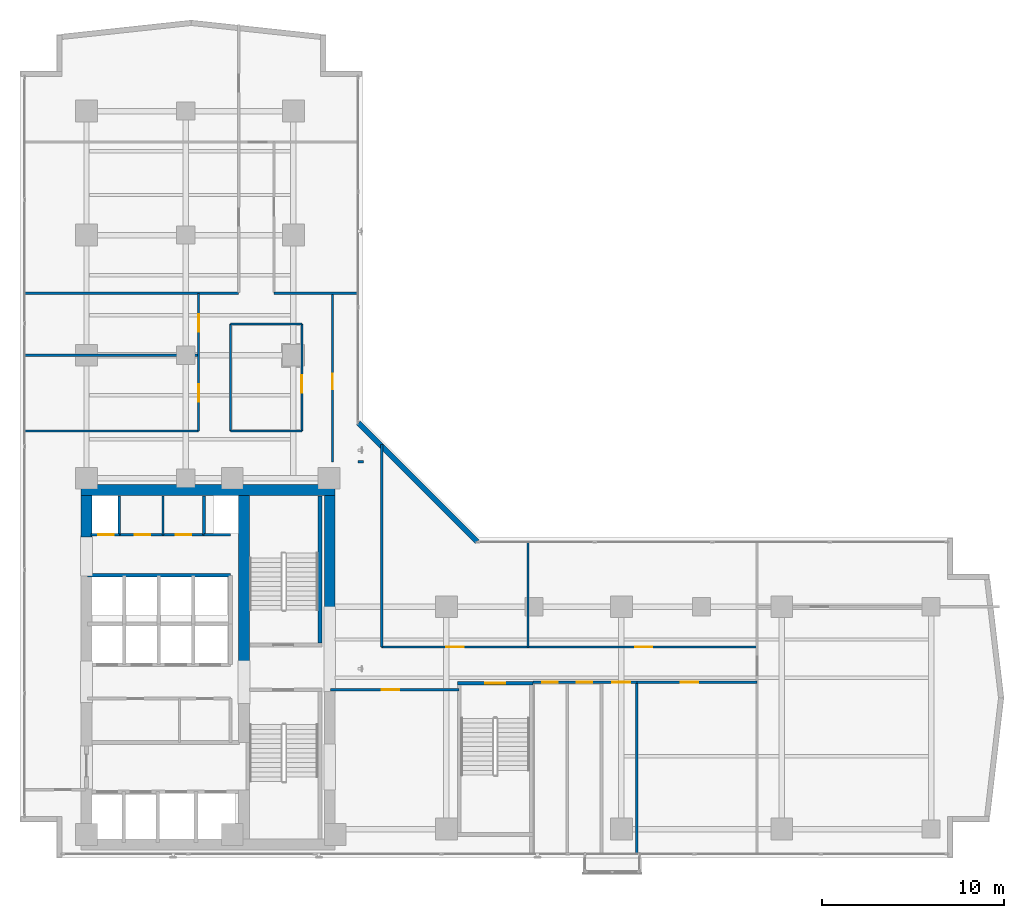
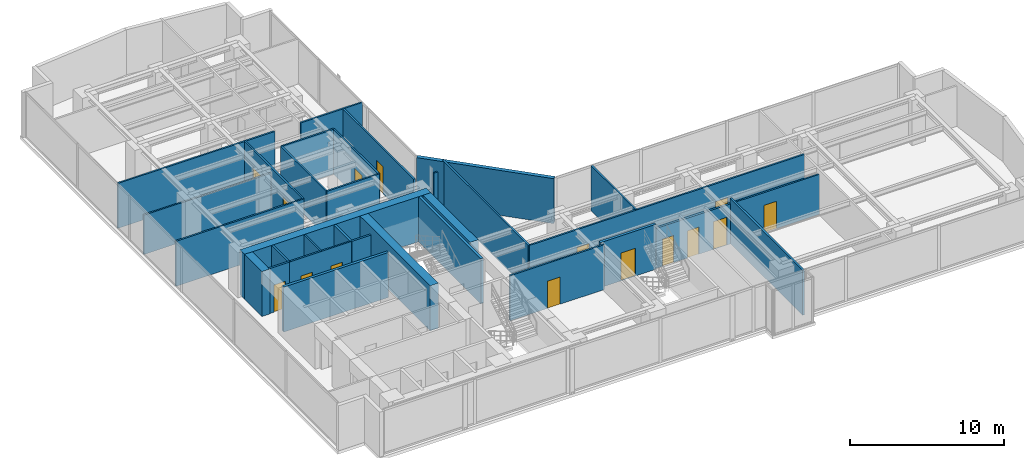
# One storey, part 21 of 27: 32 walls, 15 doors, 15 openings.
"""IFC4 building model written with IfcOpenShell, lengths in metres."""

from ifc_helpers import new_model, si_unit, direction, frame, frame_2d, origin, place, context, subcontext, project, spatial, rectangle, extrude, material, layer, layer_set, type_object, element, fill, save


model = new_model("IFC4")

# Units and contexts
model_context = context("Model", 3, precision=1e-05, world=origin(), true_north=direction((0.0, 1.0)))
body_context = subcontext(model_context, "Body", "Model", "MODEL_VIEW")
ifc_project = project(units=[si_unit("LENGTHUNIT", "METRE"), si_unit("AREAUNIT", "SQUARE_METRE"), si_unit("VOLUMEUNIT", "CUBIC_METRE"), si_unit("PLANEANGLEUNIT", "RADIAN"), si_unit("MASSUNIT", "GRAM", prefix="KILO")], contexts=[model_context])

# Site, building, storey
site_placement = place(None, origin())
site = spatial("IfcSite", under=ifc_project, at=site_placement, CompositionType="ELEMENT")
building_placement = place(site_placement, origin())
building = spatial("IfcBuilding", under=site, at=building_placement, Name="Kolvaren Waterfront Exchange", CompositionType="ELEMENT")
storey_placement = place(building_placement, frame((0.0, 0.0, 161.39990234375)))
storey = spatial("IfcBuildingStorey", under=building, at=storey_placement, Name="L41", CompositionType="ELEMENT", Elevation=161.39990234375)

# Wall
ifc_material_1 = material(Name="Precast concrete C40/50", Category="concrete")
ifc_layer_1 = layer(ifc_material_1, 0.280029296875, Name="Precast concrete C40/50")
ifc_layer_set_1 = layer_set([ifc_layer_1], Name="Precast concrete C40/50")
wall_type_1 = type_object("IfcWallType", Name="ARC-EXT-TERR-280", PredefinedType="SOLIDWALL", material=ifc_layer_set_1)
wall_1_placement = place(storey_placement, frame((28.885009765625, 20.97509765625, 0.0), z_axis=(0.0, 0.0, 1.0), x_axis=(-0.707106781187, 0.707106781187, 0.0)))
element("IfcWall", 1, at=wall_1_placement, inside=storey, type_object=wall_type_1, Name="L41 notched corner spandrel pier ELBOW", PredefinedType="SOLIDWALL", context=body_context, shape_type="SweptSolid", body=[
    extrude(rectangle(XDim=9.20654296875, YDim=0.280029296875, at=frame_2d((4.603271484375, 0.0))), origin(), (0.0, 0.0, 1.0), 3.56005859375),
])

# Wall, openings, doors
ifc_material_2 = material(Name="Acoustic gypsum steel stud", Category="steel")
ifc_layer_2 = layer(ifc_material_2, 0.125, Name="Acoustic gypsum steel stud")
ifc_layer_set_2 = layer_set([ifc_layer_2], Name="Acoustic gypsum steel stud")
wall_type_2 = type_object("IfcWallType", Name="ARC-PART-125", PredefinedType="PARTITIONING", material=ifc_layer_set_2)
wall_2_placement = place(storey_placement, frame((9.25, 21.35009765625, 0.0), z_axis=(0.0, 0.0, 1.0), x_axis=(1.0, 0.0, 0.0)))
wall_2 = element("IfcWall", 2, at=wall_2_placement, inside=storey, type_object=wall_type_2, Name="L41 interior wall PW-L41-SVC-EX-S", PredefinedType="PARTITIONING", context=body_context, shape_type="SweptSolid", body=[
    extrude(rectangle(XDim=4.64990234375, YDim=0.125, at=frame_2d((2.324951171875, 0.0))), origin(), (0.0, 0.0, 1.0), 3.56005859375),
])
opening_1_placement = place(wall_2_placement, frame((0.85009765625, 0.0, 0.0)))
opening_1 = element("IfcOpeningElement", 3, at=opening_1_placement, cuts=wall_2, Name="Opening D01", PredefinedType="OPENING", context=body_context, shape_type="SweptSolid", body=[
    extrude(rectangle(XDim=0.85009765625, YDim=2.14990234375, at=frame_2d((0.425048828125, 1.074951171875))), frame((0.0, 0.072509765625, 0.0), z_axis=(0.0, -1.0, 0.0), x_axis=(1.0, 0.0, 0.0)), (0.0, 0.0, 1.0), 0.14501953125),
])
opening_2_placement = place(wall_2_placement, frame((3.10009765625, 0.0, 0.0)))
opening_2 = element("IfcOpeningElement", 4, at=opening_2_placement, cuts=wall_2, Name="Opening D01", PredefinedType="OPENING", context=body_context, shape_type="SweptSolid", body=[
    extrude(rectangle(XDim=0.85009765625, YDim=2.14990234375, at=frame_2d((0.425048828125, 1.074951171875))), frame((0.0, 0.072509765625, 0.0), z_axis=(0.0, -1.0, 0.0), x_axis=(1.0, 0.0, 0.0)), (0.0, 0.0, 1.0), 0.14501953125),
])
ifc_material_3 = material(Name="Oak veneer timber leaf", Category="wood")
door_type_1 = type_object("IfcDoorType", Name="ARC-DR-900", OperationType="NOTDEFINED", PredefinedType="DOOR", material=ifc_material_3)
door_1_placement = place(opening_1_placement, origin())
door_1 = element("IfcDoor", 5, at=door_1_placement, inside=storey, type_object=door_type_1, Name="L41 door DR-L41-SVC-DR-1 (D01)", OperationType="SINGLE_SWING_RIGHT", OverallHeight=2.14990234375, OverallWidth=0.85009765625, PredefinedType="DOOR", context=body_context, shape_type="SweptSolid", body=[
    extrude(rectangle(XDim=0.85009765625, YDim=2.14990234375, at=frame_2d((0.425048828125, 1.074951171875))), frame((0.0, 0.02490234375, 0.0), z_axis=(0.0, -1.0, 0.0), x_axis=(1.0, 0.0, 0.0)), (0.0, 0.0, 1.0), 0.050048828125),
])
fill(opening_1, door_1)
door_2_placement = place(opening_2_placement, origin())
door_2 = element("IfcDoor", 6, at=door_2_placement, inside=storey, type_object=door_type_1, Name="L41 door DR-L41-SVC-DR-2 (D01)", OperationType="SINGLE_SWING_LEFT", OverallHeight=2.14990234375, OverallWidth=0.85009765625, PredefinedType="DOOR", context=body_context, shape_type="SweptSolid", body=[
    extrude(rectangle(XDim=0.85009765625, YDim=2.14990234375, at=frame_2d((0.425048828125, 1.074951171875))), frame((0.0, 0.02490234375, 0.0), z_axis=(0.0, -1.0, 0.0), x_axis=(1.0, 0.0, 0.0)), (0.0, 0.0, 1.0), 0.050048828125),
])
fill(opening_2, door_2)

# Walls
wall_3_placement = place(storey_placement, frame((11.64990234375, 21.35009765625, 0.0), z_axis=(0.0, 0.0, 1.0), x_axis=(0.0, 1.0, 0.0)))
element("IfcWall", 7, at=wall_3_placement, inside=storey, type_object=wall_type_2, Name="L41 interior wall PW-L41-SVC-EX-M1", PredefinedType="PARTITIONING", context=body_context, shape_type="SweptSolid", body=[
    extrude(rectangle(XDim=2.1298828125, YDim=0.125, at=frame_2d((1.06494140625, 0.0))), origin(), (0.0, 0.0, 1.0), 3.56005859375),
])
for number, where, z_axis, x_axis, name in (
    (8, (15.35009765625, 27.050048828125, 0.0), (0.0, 0.0, 1.0), (1.0, 0.0, 0.0), "L41 interior wall PW-L41-ISL-S"),
    (9, (15.35009765625, 32.919921875, 0.0), (0.0, 0.0, 1.0), (1.0, 0.0, 0.0), "L41 interior wall PW-L41-ISL-N"),
):
    element("IfcWall", number, at=place(storey_placement, frame(where, z_axis=z_axis, x_axis=x_axis)), inside=storey, type_object=wall_type_2, Name=name, PredefinedType="PARTITIONING", context=body_context, shape_type="SweptSolid", body=[
        extrude(rectangle(XDim=3.919921875, YDim=0.125, at=frame_2d((1.9599609375, 0.0))), origin(), (0.0, 0.0, 1.0), 3.56005859375),
    ])
wall_4_placement = place(storey_placement, frame((15.35009765625, 27.050048828125, 0.0), z_axis=(0.0, 0.0, 1.0), x_axis=(0.0, 1.0, 0.0)))
element("IfcWall", 10, at=wall_4_placement, inside=storey, type_object=wall_type_2, Name="L41 interior wall PW-L41-ISL-W", PredefinedType="PARTITIONING", context=body_context, shape_type="SweptSolid", body=[
    extrude(rectangle(XDim=5.869873046875, YDim=0.125, at=frame_2d((2.93505859375, 0.0))), origin(), (0.0, 0.0, 1.0), 3.56005859375),
])

# Wall, opening, door
wall_5_placement = place(storey_placement, frame((19.27001953125, 27.050048828125, 0.0), z_axis=(0.0, 0.0, 1.0), x_axis=(0.0, 1.0, 0.0)))
wall_5 = element("IfcWall", 11, at=wall_5_placement, inside=storey, type_object=wall_type_2, Name="L41 interior wall PW-L41-ISL-E", PredefinedType="PARTITIONING", context=body_context, shape_type="SweptSolid", body=[
    extrude(rectangle(XDim=5.869873046875, YDim=0.125, at=frame_2d((2.93505859375, 0.0))), origin(), (0.0, 0.0, 1.0), 3.56005859375),
])
opening_3_placement = place(wall_5_placement, frame((2.106201171875, 0.0, 0.0)))
opening_3 = element("IfcOpeningElement", 12, at=opening_3_placement, cuts=wall_5, Name="Opening D02", PredefinedType="OPENING", context=body_context, shape_type="SweptSolid", body=[
    extrude(rectangle(XDim=0.949951171875, YDim=2.14990234375, at=frame_2d((0.47509765625, 1.074951171875))), frame((0.0, 0.072509765625, 0.0), z_axis=(0.0, -1.0, 0.0), x_axis=(1.0, 0.0, 0.0)), (0.0, 0.0, 1.0), 0.14501953125),
])
ifc_material_4 = material(Name="Oak veneer acoustic timber", Category="wood")
door_type_2 = type_object("IfcDoorType", Name="ARC-DR-950", OperationType="NOTDEFINED", PredefinedType="DOOR", material=ifc_material_4)
door_3_placement = place(opening_3_placement, origin())
door_3 = element("IfcDoor", 13, at=door_3_placement, inside=storey, type_object=door_type_2, Name="L41 door DR-L41-ISL-D (D02)", OperationType="SINGLE_SWING_RIGHT", OverallHeight=2.14990234375, OverallWidth=0.949951171875, PredefinedType="DOOR", context=body_context, shape_type="SweptSolid", body=[
    extrude(rectangle(XDim=0.949951171875, YDim=2.14990234375, at=frame_2d((0.47509765625, 1.074951171875))), frame((0.0, 0.02490234375, 0.0), z_axis=(0.0, -1.0, 0.0), x_axis=(1.0, 0.0, 0.0)), (0.0, 0.0, 1.0), 0.050048828125),
])
fill(opening_3, door_3)

# Wall, openings, doors
wall_6_placement = place(storey_placement, frame((13.60009765625, 27.050048828125, 0.0), z_axis=(0.0, 0.0, 1.0), x_axis=(0.0, 1.0, 0.0)))
wall_6 = element("IfcWall", 14, at=wall_6_placement, inside=storey, type_object=wall_type_2, Name="L41 interior wall PW-L41-MWL-E", PredefinedType="PARTITIONING", context=body_context, shape_type="SweptSolid", body=[
    extrude(rectangle(XDim=7.550048828125, YDim=0.125, at=frame_2d((3.77490234375, 0.0))), origin(), (0.0, 0.0, 1.0), 3.56005859375),
])
opening_4_placement = place(wall_6_placement, frame((1.60009765625, 0.0, 0.0)))
opening_4 = element("IfcOpeningElement", 15, at=opening_4_placement, cuts=wall_6, Name="Opening D02", PredefinedType="OPENING", context=body_context, shape_type="SweptSolid", body=[
    extrude(rectangle(XDim=0.949951171875, YDim=2.14990234375, at=frame_2d((0.47509765625, 1.074951171875))), frame((0.0, 0.072509765625, 0.0), z_axis=(0.0, -1.0, 0.0), x_axis=(1.0, 0.0, 0.0)), (0.0, 0.0, 1.0), 0.14501953125),
])
opening_5_placement = place(wall_6_placement, frame((5.445556640625, 0.0, 0.0)))
opening_5 = element("IfcOpeningElement", 16, at=opening_5_placement, cuts=wall_6, Name="Opening D02", PredefinedType="OPENING", context=body_context, shape_type="SweptSolid", body=[
    extrude(rectangle(XDim=0.949951171875, YDim=2.14990234375, at=frame_2d((0.47509765625, 1.074951171875))), frame((0.0, 0.072509765625, 0.0), z_axis=(0.0, -1.0, 0.0), x_axis=(1.0, 0.0, 0.0)), (0.0, 0.0, 1.0), 0.14501953125),
])
door_4_placement = place(opening_4_placement, origin())
door_4 = element("IfcDoor", 17, at=door_4_placement, inside=storey, type_object=door_type_2, Name="L41 door DR-L41-MWL1A-D (D02)", OperationType="SINGLE_SWING_RIGHT", OverallHeight=2.14990234375, OverallWidth=0.949951171875, PredefinedType="DOOR", context=body_context, shape_type="SweptSolid", body=[
    extrude(rectangle(XDim=0.949951171875, YDim=2.14990234375, at=frame_2d((0.47509765625, 1.074951171875))), frame((0.0, 0.02490234375, 0.0), z_axis=(0.0, -1.0, 0.0), x_axis=(1.0, 0.0, 0.0)), (0.0, 0.0, 1.0), 0.050048828125),
])
fill(opening_4, door_4)
door_5_placement = place(opening_5_placement, origin())
door_5 = element("IfcDoor", 18, at=door_5_placement, inside=storey, type_object=door_type_2, Name="L41 door DR-L41-MWL1B-D (D02)", OperationType="SINGLE_SWING_LEFT", OverallHeight=2.14990234375, OverallWidth=0.949951171875, PredefinedType="DOOR", context=body_context, shape_type="SweptSolid", body=[
    extrude(rectangle(XDim=0.949951171875, YDim=2.14990234375, at=frame_2d((0.47509765625, 1.074951171875))), frame((0.0, 0.02490234375, 0.0), z_axis=(0.0, -1.0, 0.0), x_axis=(1.0, 0.0, 0.0)), (0.0, 0.0, 1.0), 0.050048828125),
])
fill(opening_5, door_5)

# Walls
wall_7_placement = place(storey_placement, frame((4.0400390625, 27.050048828125, 0.0), z_axis=(0.0, 0.0, 1.0), x_axis=(1.0, 0.0, 0.0)))
element("IfcWall", 19, at=wall_7_placement, inside=storey, type_object=wall_type_2, Name="L41 interior wall PW-L41-MWL-S", PredefinedType="PARTITIONING", context=body_context, shape_type="SweptSolid", body=[
    extrude(rectangle(XDim=9.56005859375, YDim=0.125, at=frame_2d((4.780029296875, 0.0))), origin(), (0.0, 0.0, 1.0), 3.56005859375),
])
wall_8_placement = place(storey_placement, frame((4.0400390625, 34.60009765625, 0.0), z_axis=(0.0, 0.0, 1.0), x_axis=(1.0, 0.0, 0.0)))
element("IfcWall", 20, at=wall_8_placement, inside=storey, type_object=wall_type_2, Name="L41 interior wall PW-L41-MWL-N", PredefinedType="PARTITIONING", context=body_context, shape_type="SweptSolid", body=[
    extrude(rectangle(XDim=11.760009765625, YDim=0.125, at=frame_2d((5.8798828125, 0.0))), origin(), (0.0, 0.0, 1.0), 3.56005859375),
])
wall_9_placement = place(storey_placement, frame((4.0400390625, 31.199951171875, 0.0), z_axis=(0.0, 0.0, 1.0), x_axis=(1.0, 0.0, 0.0)))
element("IfcWall", 21, at=wall_9_placement, inside=storey, type_object=wall_type_2, Name="L41 interior wall PW-L41-MWL-M", PredefinedType="PARTITIONING", context=body_context, shape_type="SweptSolid", body=[
    extrude(rectangle(XDim=9.56005859375, YDim=0.125, at=frame_2d((4.780029296875, 0.0))), origin(), (0.0, 0.0, 1.0), 3.110107421875),
])

# Wall, opening, door
wall_10_placement = place(storey_placement, frame((20.85009765625, 12.85009765625, 0.0), z_axis=(0.0, 0.0, 1.0), x_axis=(1.0, 0.0, 0.0)))
wall_10 = element("IfcWall", 22, at=wall_10_placement, inside=storey, type_object=wall_type_2, Name="L41 interior wall PW-L41-SWST3-N", PredefinedType="PARTITIONING", context=body_context, shape_type="SweptSolid", body=[
    extrude(rectangle(XDim=7.0498046875, YDim=0.125, at=frame_2d((3.52490234375, 0.0))), origin(), (0.0, 0.0, 1.0), 3.56005859375),
])
opening_6_placement = place(wall_10_placement, frame((2.800048828125, 0.0, 0.0)))
opening_6 = element("IfcOpeningElement", 23, at=opening_6_placement, cuts=wall_10, Name="Opening D02", PredefinedType="OPENING", context=body_context, shape_type="SweptSolid", body=[
    extrude(rectangle(XDim=0.949951171875, YDim=2.14990234375, at=frame_2d((0.47509765625, 1.074951171875))), frame((0.0, 0.072509765625, 0.0), z_axis=(0.0, -1.0, 0.0), x_axis=(1.0, 0.0, 0.0)), (0.0, 0.0, 1.0), 0.14501953125),
])
door_6_placement = place(opening_6_placement, origin())
door_6 = element("IfcDoor", 24, at=door_6_placement, inside=storey, type_object=door_type_2, Name="L41 door DR-L41-SWST3-D (D02)", OperationType="SINGLE_SWING_LEFT", OverallHeight=2.14990234375, OverallWidth=0.949951171875, PredefinedType="DOOR", context=body_context, shape_type="SweptSolid", body=[
    extrude(rectangle(XDim=0.949951171875, YDim=2.14990234375, at=frame_2d((0.47509765625, 1.074951171875))), frame((0.0, 0.02490234375, 0.0), z_axis=(0.0, -1.0, 0.0), x_axis=(1.0, 0.0, 0.0)), (0.0, 0.0, 1.0), 0.050048828125),
])
fill(opening_6, door_6)

wall_11_placement = place(storey_placement, frame((20.949951171875, 25.35009765625, 0.0), z_axis=(0.0, 0.0, 1.0), x_axis=(0.0, 1.0, 0.0)))
wall_11 = element("IfcWall", 25, at=wall_11_placement, inside=storey, type_object=wall_type_2, Name="L41 interior wall PW-L41-RFLANK-W", PredefinedType="PARTITIONING", context=body_context, shape_type="SweptSolid", body=[
    extrude(rectangle(XDim=9.25, YDim=0.125, at=frame_2d((4.625, 0.0))), origin(), (0.0, 0.0, 1.0), 3.56005859375),
])
opening_7_placement = place(wall_11_placement, frame((3.97314453125, 0.0, 0.0)))
opening_7 = element("IfcOpeningElement", 26, at=opening_7_placement, cuts=wall_11, Name="Opening D01", PredefinedType="OPENING", context=body_context, shape_type="SweptSolid", body=[
    extrude(rectangle(XDim=0.85009765625, YDim=2.14990234375, at=frame_2d((0.425048828125, 1.074951171875))), frame((0.0, 0.072509765625, 0.0), z_axis=(0.0, -1.0, 0.0), x_axis=(1.0, 0.0, 0.0)), (0.0, 0.0, 1.0), 0.14501953125),
])
door_7_placement = place(opening_7_placement, origin())
door_7 = element("IfcDoor", 27, at=door_7_placement, inside=storey, type_object=door_type_1, Name="L41 door DR-L41-RFLANK-D (D01)", OperationType="SINGLE_SWING_RIGHT", OverallHeight=2.14990234375, OverallWidth=0.85009765625, PredefinedType="DOOR", context=body_context, shape_type="SweptSolid", body=[
    extrude(rectangle(XDim=0.85009765625, YDim=2.14990234375, at=frame_2d((0.425048828125, 1.074951171875))), frame((0.0, 0.02490234375, 0.0), z_axis=(0.0, -1.0, 0.0), x_axis=(1.0, 0.0, 0.0)), (0.0, 0.0, 1.0), 0.050048828125),
])
fill(opening_7, door_7)

# Walls
wall_12_placement = place(storey_placement, frame((22.64990234375, 25.35009765625, 0.0), z_axis=(0.0, 0.0, 1.0), x_axis=(-1.0, 0.0, 0.0)))
element("IfcWall", 28, at=wall_12_placement, inside=storey, type_object=wall_type_2, Name="L41 interior wall PW-L41-RFLANK-S", PredefinedType="PARTITIONING", context=body_context, shape_type="SweptSolid", body=[
    extrude(rectangle(XDim=0.289794921875, YDim=0.125, at=frame_2d((0.14501953125, 0.0))), origin(), (0.0, 0.0, 1.0), 3.56005859375),
])
wall_13_placement = place(storey_placement, frame((17.739990234375, 34.60009765625, 0.0), z_axis=(0.0, 0.0, 1.0), x_axis=(1.0, 0.0, 0.0)))
element("IfcWall", 29, at=wall_13_placement, inside=storey, type_object=wall_type_2, Name="L41 interior wall PW-L41-RFLANK-N", PredefinedType="PARTITIONING", context=body_context, shape_type="SweptSolid", body=[
    extrude(rectangle(XDim=4.6201171875, YDim=0.125, at=frame_2d((2.31005859375, 0.0))), origin(), (0.0, 0.0, 1.0), 3.56005859375),
])

# Wall, opening, door
wall_14_placement = place(storey_placement, frame((37.64990234375, 13.25, 0.0), z_axis=(0.0, 0.0, 1.0), x_axis=(1.0, 0.0, 0.0)))
wall_14 = element("IfcWall", 30, at=wall_14_placement, inside=storey, type_object=wall_type_2, Name="L41 interior wall PW-L41-ES-CORR", PredefinedType="PARTITIONING", context=body_context, shape_type="SweptSolid", body=[
    extrude(rectangle(XDim=6.60009765625, YDim=0.125, at=frame_2d((3.300048828125, 0.0))), origin(), (0.0, 0.0, 1.0), 3.16015625),
])
opening_8_placement = place(wall_14_placement, frame((2.422119140625, 0.0, 0.0)))
opening_8 = element("IfcOpeningElement", 31, at=opening_8_placement, cuts=wall_14, Name="Opening D02", PredefinedType="OPENING", context=body_context, shape_type="SweptSolid", body=[
    extrude(rectangle(XDim=0.949951171875, YDim=2.14990234375, at=frame_2d((0.47509765625, 1.074951171875))), frame((0.0, 0.072509765625, 0.0), z_axis=(0.0, -1.0, 0.0), x_axis=(1.0, 0.0, 0.0)), (0.0, 0.0, 1.0), 0.14501953125),
])
door_8_placement = place(opening_8_placement, origin())
door_8 = element("IfcDoor", 32, at=door_8_placement, inside=storey, type_object=door_type_2, Name="L41 door DR-L41-ES-D-1 (D02)", OperationType="SINGLE_SWING_LEFT", OverallHeight=2.14990234375, OverallWidth=0.949951171875, PredefinedType="DOOR", context=body_context, shape_type="SweptSolid", body=[
    extrude(rectangle(XDim=0.949951171875, YDim=2.14990234375, at=frame_2d((0.47509765625, 1.074951171875))), frame((0.0, 0.02490234375, 0.0), z_axis=(0.0, -1.0, 0.0), x_axis=(1.0, 0.0, 0.0)), (0.0, 0.0, 1.0), 0.050048828125),
])
fill(opening_8, door_8)

# Wall
wall_15_placement = place(storey_placement, frame((23.64990234375, 15.18994140625, 0.0), z_axis=(0.0, 0.0, 1.0), x_axis=(0.0, 1.0, 0.0)))
element("IfcWall", 33, at=wall_15_placement, inside=storey, type_object=wall_type_2, Name="L41 interior wall PW-L41-EN-W0", PredefinedType="PARTITIONING", context=body_context, shape_type="SweptSolid", body=[
    extrude(rectangle(XDim=11.1201171875, YDim=0.125, at=frame_2d((5.56005859375, 0.0))), origin(), (0.0, 0.0, 1.0), 3.56005859375),
])

# Wall, openings, doors
wall_16_placement = place(storey_placement, frame((23.64990234375, 15.18994140625, 0.0), z_axis=(0.0, 0.0, 1.0), x_axis=(1.0, 0.0, 0.0)))
wall_16 = element("IfcWall", 34, at=wall_16_placement, inside=storey, type_object=wall_type_2, Name="L41 interior wall PW-L41-EN-CORR", PredefinedType="PARTITIONING", context=body_context, shape_type="SweptSolid", body=[
    extrude(rectangle(XDim=20.60009765625, YDim=0.125, at=frame_2d((10.300048828125, 0.0))), origin(), (0.0, 0.0, 1.0), 3.56005859375),
])
opening_9_placement = place(wall_16_placement, frame((3.5400390625, 0.0, 0.0)))
opening_9 = element("IfcOpeningElement", 35, at=opening_9_placement, cuts=wall_16, Name="Opening D02", PredefinedType="OPENING", context=body_context, shape_type="SweptSolid", body=[
    extrude(rectangle(XDim=0.949951171875, YDim=2.14990234375, at=frame_2d((0.47509765625, 1.074951171875))), frame((0.0, 0.072509765625, 0.0), z_axis=(0.0, -1.0, 0.0), x_axis=(1.0, 0.0, 0.0)), (0.0, 0.0, 1.0), 0.14501953125),
])
opening_10_placement = place(wall_16_placement, frame((13.910400390625, 0.0, 0.0)))
opening_10 = element("IfcOpeningElement", 36, at=opening_10_placement, cuts=wall_16, Name="Opening D02", PredefinedType="OPENING", context=body_context, shape_type="SweptSolid", body=[
    extrude(rectangle(XDim=0.949951171875, YDim=2.14990234375, at=frame_2d((0.47509765625, 1.074951171875))), frame((0.0, 0.072509765625, 0.0), z_axis=(0.0, -1.0, 0.0), x_axis=(1.0, 0.0, 0.0)), (0.0, 0.0, 1.0), 0.14501953125),
])
door_9_placement = place(opening_9_placement, origin())
door_9 = element("IfcDoor", 37, at=door_9_placement, inside=storey, type_object=door_type_2, Name="L41 door DR-L41-EN-D-1 (D02)", OperationType="SINGLE_SWING_RIGHT", OverallHeight=2.14990234375, OverallWidth=0.949951171875, PredefinedType="DOOR", context=body_context, shape_type="SweptSolid", body=[
    extrude(rectangle(XDim=0.949951171875, YDim=2.14990234375, at=frame_2d((0.47509765625, 1.074951171875))), frame((0.0, 0.02490234375, 0.0), z_axis=(0.0, -1.0, 0.0), x_axis=(1.0, 0.0, 0.0)), (0.0, 0.0, 1.0), 0.050048828125),
])
fill(opening_9, door_9)
door_10_placement = place(opening_10_placement, origin())
door_10 = element("IfcDoor", 38, at=door_10_placement, inside=storey, type_object=door_type_2, Name="L41 door DR-L41-EN-D-2 (D02)", OperationType="SINGLE_SWING_LEFT", OverallHeight=2.14990234375, OverallWidth=0.949951171875, PredefinedType="DOOR", context=body_context, shape_type="SweptSolid", body=[
    extrude(rectangle(XDim=0.949951171875, YDim=2.14990234375, at=frame_2d((0.47509765625, 1.074951171875))), frame((0.0, 0.02490234375, 0.0), z_axis=(0.0, -1.0, 0.0), x_axis=(1.0, 0.0, 0.0)), (0.0, 0.0, 1.0), 0.050048828125),
])
fill(opening_10, door_10)

# Walls
wall_17_placement = place(storey_placement, frame((31.679931640625, 15.18994140625, 0.0), z_axis=(0.0, 0.0, 1.0), x_axis=(0.0, 1.0, 0.0)))
element("IfcWall", 39, at=wall_17_placement, inside=storey, type_object=wall_type_2, Name="L41 interior wall PW-L41-EN-DIV-1", PredefinedType="PARTITIONING", context=body_context, shape_type="SweptSolid", body=[
    extrude(rectangle(XDim=5.77001953125, YDim=0.125, at=frame_2d((2.885009765625, 0.0))), origin(), (0.0, 0.0, 1.0), 3.56005859375),
])
ifc_material_5 = material(Name="Gypsum fireboard steel stud", Category="steel")
ifc_layer_3 = layer(ifc_material_5, 0.14990234375, Name="Gypsum fireboard steel stud")
ifc_layer_set_3 = layer_set([ifc_layer_3], Name="Gypsum fireboard steel stud")
wall_type_3 = type_object("IfcWallType", Name="ARC-PART-150", PredefinedType="PARTITIONING", material=ifc_layer_set_3)
for number, where, z_axis, x_axis, name in (
    (40, (9.25, 21.35009765625, 0.0), (0.0, 0.0, 1.0), (0.0, 1.0, 0.0), "L41 interior wall PW-L41-SVC-R1"),
    (41, (13.89990234375, 21.35009765625, 0.0), (0.0, 0.0, 1.0), (0.0, 1.0, 0.0), "L41 interior wall PW-L41-SVC-R2"),
):
    element("IfcWall", number, at=place(storey_placement, frame(where, z_axis=z_axis, x_axis=x_axis)), inside=storey, type_object=wall_type_3, Name=name, PredefinedType="PARTITIONING", context=body_context, shape_type="SweptSolid", body=[
        extrude(rectangle(XDim=2.1298828125, YDim=0.14990234375, at=frame_2d((1.06494140625, 0.0))), origin(), (0.0, 0.0, 1.0), 3.56005859375),
    ])

# Wall, opening, door
wall_18_placement = place(storey_placement, frame((7.699951171875, 21.35009765625, 0.0), z_axis=(0.0, 0.0, 1.0), x_axis=(1.0, 0.0, 0.0)))
wall_18 = element("IfcWall", 42, at=wall_18_placement, inside=storey, type_object=wall_type_3, Name="L41 interior wall PW-L41-SVC-RE-S", PredefinedType="PARTITIONING", context=body_context, shape_type="SweptSolid", body=[
    extrude(rectangle(XDim=1.550048828125, YDim=0.14990234375, at=frame_2d((0.77490234375, 0.0))), origin(), (0.0, 0.0, 1.0), 3.56005859375),
])
opening_11_placement = place(wall_18_placement, frame((0.389892578125, 0.0, 0.0)))
opening_11 = element("IfcOpeningElement", 43, at=opening_11_placement, cuts=wall_18, Name="Opening FD1", PredefinedType="OPENING", context=body_context, shape_type="SweptSolid", body=[
    extrude(rectangle(XDim=0.85009765625, YDim=2.14990234375, at=frame_2d((0.425048828125, 1.074951171875))), frame((0.0, 0.0849609375, 0.0), z_axis=(0.0, -1.0, 0.0), x_axis=(1.0, 0.0, 0.0)), (0.0, 0.0, 1.0), 0.169921875),
])
ifc_material_6 = material(Name="Pressed steel fire leaf", Category="steel")
door_type_3 = type_object("IfcDoorType", Name="ARC-FD-900", OperationType="NOTDEFINED", PredefinedType="DOOR", material=ifc_material_6)
door_11_placement = place(opening_11_placement, origin())
door_11 = element("IfcDoor", 44, at=door_11_placement, inside=storey, type_object=door_type_3, Name="L41 door DR-L41-RISER-E-DR (FD1)", OperationType="SINGLE_SWING_LEFT", OverallHeight=2.14990234375, OverallWidth=0.85009765625, PredefinedType="DOOR", context=body_context, shape_type="SweptSolid", body=[
    extrude(rectangle(XDim=0.85009765625, YDim=2.14990234375, at=frame_2d((0.425048828125, 1.074951171875))), frame((0.0, 0.02490234375, 0.0), z_axis=(0.0, -1.0, 0.0), x_axis=(1.0, 0.0, 0.0)), (0.0, 0.0, 1.0), 0.050048828125),
])
fill(opening_11, door_11)

# Wall
wall_19_placement = place(storey_placement, frame((13.89990234375, 21.35009765625, 0.0), z_axis=(0.0, 0.0, 1.0), x_axis=(1.0, 0.0, 0.0)))
element("IfcWall", 45, at=wall_19_placement, inside=storey, type_object=wall_type_3, Name="L41 interior wall PW-L41-SVC-RP-S", PredefinedType="PARTITIONING", context=body_context, shape_type="SweptSolid", body=[
    extrude(rectangle(XDim=1.4501953125, YDim=0.14990234375, at=frame_2d((0.72509765625, 0.0))), origin(), (0.0, 0.0, 1.0), 3.56005859375),
])

# Wall, openings, doors
ifc_material_7 = material(Name="Moisture-resistant gypsum stud")
ifc_layer_4 = layer(ifc_material_7, 0.14990234375, Name="Moisture-resistant gypsum stud")
ifc_layer_set_4 = layer_set([ifc_layer_4], Name="Moisture-resistant gypsum stud")
wall_type_4 = type_object("IfcWallType", Name="ARC-PLUMB-150", PredefinedType="PLUMBINGWALL", material=ifc_layer_set_4)
wall_20_placement = place(storey_placement, frame((31.949951171875, 13.25, 0.0), z_axis=(0.0, 0.0, 1.0), x_axis=(1.0, 0.0, 0.0)))
wall_20 = element("IfcWall", 46, at=wall_20_placement, inside=storey, type_object=wall_type_4, Name="L41 interior wall PW-L41-WC-N", PredefinedType="PLUMBINGWALL", context=body_context, shape_type="SweptSolid", body=[
    extrude(rectangle(XDim=5.699951171875, YDim=0.14990234375, at=frame_2d((2.85009765625, 0.0))), origin(), (0.0, 0.0, 1.0), 3.16015625),
])
opening_12_placement = place(wall_20_placement, frame((0.514892578125, 0.0, 0.0)))
opening_12 = element("IfcOpeningElement", 47, at=opening_12_placement, cuts=wall_20, Name="Opening D01", PredefinedType="OPENING", context=body_context, shape_type="SweptSolid", body=[
    extrude(rectangle(XDim=0.85009765625, YDim=2.14990234375, at=frame_2d((0.425048828125, 1.074951171875))), frame((0.0, 0.0849609375, 0.0), z_axis=(0.0, -1.0, 0.0), x_axis=(1.0, 0.0, 0.0)), (0.0, 0.0, 1.0), 0.169921875),
])
opening_13_placement = place(wall_20_placement, frame((2.39501953125, 0.0, 0.0)))
opening_13 = element("IfcOpeningElement", 48, at=opening_13_placement, cuts=wall_20, Name="Opening D01", PredefinedType="OPENING", context=body_context, shape_type="SweptSolid", body=[
    extrude(rectangle(XDim=0.85009765625, YDim=2.14990234375, at=frame_2d((0.425048828125, 1.074951171875))), frame((0.0, 0.0849609375, 0.0), z_axis=(0.0, -1.0, 0.0), x_axis=(1.0, 0.0, 0.0)), (0.0, 0.0, 1.0), 0.169921875),
])
opening_14_placement = place(wall_20_placement, frame((4.35009765625, 0.0, 0.0)))
opening_14 = element("IfcOpeningElement", 49, at=opening_14_placement, cuts=wall_20, Name="Opening D03", PredefinedType="OPENING", context=body_context, shape_type="SweptSolid", body=[
    extrude(rectangle(XDim=1.0, YDim=2.199951171875, at=frame_2d((0.5, 1.10009765625))), frame((0.0, 0.0849609375, 0.0), z_axis=(0.0, -1.0, 0.0), x_axis=(1.0, 0.0, 0.0)), (0.0, 0.0, 1.0), 0.169921875),
])
ifc_material_8 = material(Name="Oak veneer accessible timber", Category="wood")
door_type_4 = type_object("IfcDoorType", Name="ARC-DR-1000", OperationType="NOTDEFINED", PredefinedType="DOOR", material=ifc_material_8)
door_12_placement = place(opening_14_placement, origin())
door_12 = element("IfcDoor", 50, at=door_12_placement, inside=storey, type_object=door_type_4, Name="L41 door DR-L41-WCA-D (D03)", OperationType="SINGLE_SWING_LEFT", OverallHeight=2.199951171875, OverallWidth=1.0, PredefinedType="DOOR", context=body_context, shape_type="SweptSolid", body=[
    extrude(rectangle(XDim=1.0, YDim=2.199951171875, at=frame_2d((0.5, 1.10009765625))), frame((0.0, 0.02490234375, 0.0), z_axis=(0.0, -1.0, 0.0), x_axis=(1.0, 0.0, 0.0)), (0.0, 0.0, 1.0), 0.050048828125),
])
fill(opening_14, door_12)
door_13_placement = place(opening_12_placement, origin())
door_13 = element("IfcDoor", 51, at=door_13_placement, inside=storey, type_object=door_type_1, Name="L41 door DR-L41-WCM-D (D01)", OperationType="SINGLE_SWING_LEFT", OverallHeight=2.14990234375, OverallWidth=0.85009765625, PredefinedType="DOOR", context=body_context, shape_type="SweptSolid", body=[
    extrude(rectangle(XDim=0.85009765625, YDim=2.14990234375, at=frame_2d((0.425048828125, 1.074951171875))), frame((0.0, 0.02490234375, 0.0), z_axis=(0.0, -1.0, 0.0), x_axis=(1.0, 0.0, 0.0)), (0.0, 0.0, 1.0), 0.050048828125),
])
fill(opening_12, door_13)
door_14_placement = place(opening_13_placement, origin())
door_14 = element("IfcDoor", 52, at=door_14_placement, inside=storey, type_object=door_type_1, Name="L41 door DR-L41-WCF-D (D01)", OperationType="SINGLE_SWING_RIGHT", OverallHeight=2.14990234375, OverallWidth=0.85009765625, PredefinedType="DOOR", context=body_context, shape_type="SweptSolid", body=[
    extrude(rectangle(XDim=0.85009765625, YDim=2.14990234375, at=frame_2d((0.425048828125, 1.074951171875))), frame((0.0, 0.02490234375, 0.0), z_axis=(0.0, -1.0, 0.0), x_axis=(1.0, 0.0, 0.0)), (0.0, 0.0, 1.0), 0.050048828125),
])
fill(opening_13, door_14)

# Walls
wall_21_placement = place(storey_placement, frame((37.64990234375, 3.840087890625, 0.0), z_axis=(0.0, 0.0, 1.0), x_axis=(0.0, 1.0, 0.0)))
element("IfcWall", 53, at=wall_21_placement, inside=storey, type_object=wall_type_4, Name="L41 interior wall PW-L41-WC-3", PredefinedType="PLUMBINGWALL", context=body_context, shape_type="SweptSolid", body=[
    extrude(rectangle(XDim=9.409912109375, YDim=0.14990234375, at=frame_2d((4.705078125, 0.0))), origin(), (0.0, 0.0, 1.0), 3.56005859375),
])
ifc_material_9 = material(Name="Concrete C40/50", Category="concrete")
ifc_layer_5 = layer(ifc_material_9, 0.199951171875, Name="Concrete C40/50")
ifc_layer_set_5 = layer_set([ifc_layer_5], Name="Concrete C40/50")
wall_type_5 = type_object("IfcWallType", Name="ARC-SHAFT-200", PredefinedType="PARTITIONING", material=ifc_layer_set_5)
wall_22_placement = place(storey_placement, frame((20.260009765625, 15.39990234375, 0.0), z_axis=(0.0, 0.0, 1.0), x_axis=(0.0, 1.0, 0.0)))
element("IfcWall", 54, at=wall_22_placement, inside=storey, type_object=wall_type_5, Name="L41 structural stairwell wall PW-L41-ST2-E", PredefinedType="SHEAR", context=body_context, shape_type="SweptSolid", body=[
    extrude(rectangle(XDim=8.090087890625, YDim=0.199951171875, at=frame_2d((4.044921875, 0.0))), origin(), (0.0, 0.0, 1.0), 3.56005859375),
])

# Wall, opening, door
wall_23_placement = place(storey_placement, frame((27.800048828125, 13.199951171875, 0.0), z_axis=(0.0, 0.0, 1.0), x_axis=(1.0, 0.0, 0.0)))
wall_23 = element("IfcWall", 55, at=wall_23_placement, inside=storey, type_object=wall_type_5, Name="L41 structural stairwell wall PW-L41-ST3-N", PredefinedType="SHEAR", context=body_context, shape_type="SweptSolid", body=[
    extrude(rectangle(XDim=4.159912109375, YDim=0.199951171875, at=frame_2d((2.080078125, 0.0))), origin(), (0.0, 0.0, 1.0), 3.56005859375),
])
opening_15_placement = place(wall_23_placement, frame((1.530029296875, 0.0, 0.0)))
opening_15 = element("IfcOpeningElement", 56, at=opening_15_placement, cuts=wall_23, Name="Opening FD2", PredefinedType="OPENING", context=body_context, shape_type="SweptSolid", body=[
    extrude(rectangle(XDim=1.10009765625, YDim=2.199951171875, at=frame_2d((0.550048828125, 1.10009765625))), frame((0.0, 0.10986328125, 0.0), z_axis=(0.0, -1.0, 0.0), x_axis=(1.0, 0.0, 0.0)), (0.0, 0.0, 1.0), 0.219970703125),
])
ifc_material_10 = material(Name="Pressed steel smoke-seal fire door", Category="steel")
door_type_5 = type_object("IfcDoorType", Name="ARC-FD-1100", OperationType="NOTDEFINED", PredefinedType="DOOR", material=ifc_material_10)
door_15_placement = place(opening_15_placement, frame((1.10009765625, 0.0, 0.0), z_axis=(0.0, 0.0, 1.0), x_axis=(-1.0, 0.0, 0.0)))
door_15 = element("IfcDoor", 57, at=door_15_placement, inside=storey, type_object=door_type_5, Name="L41 door DR-L41-ST3-IN (FD2)", OperationType="SINGLE_SWING_LEFT", OverallHeight=2.199951171875, OverallWidth=1.10009765625, PredefinedType="DOOR", context=body_context, shape_type="SweptSolid", body=[
    extrude(rectangle(XDim=1.10009765625, YDim=2.199951171875, at=frame_2d((0.550048828125, 1.10009765625))), frame((0.0, 0.02490234375, 0.0), z_axis=(0.0, -1.0, 0.0), x_axis=(1.0, 0.0, 0.0)), (0.0, 0.0, 1.0), 0.050048828125),
])
fill(opening_15, door_15)

# Walls
wall_24_placement = place(storey_placement, frame((7.5, 19.1201171875, 0.0), z_axis=(0.0, 0.0, 1.0), x_axis=(1.0, 0.0, 0.0)))
element("IfcWall", 58, at=wall_24_placement, inside=storey, type_object=wall_type_5, Name="L41 interior wall PW-L41-PH-N", PredefinedType="PARTITIONING", context=body_context, shape_type="SweptSolid", body=[
    extrude(rectangle(XDim=7.85009765625, YDim=0.199951171875, at=frame_2d((3.925048828125, 0.0))), origin(), (0.0, 0.0, 1.0), 3.56005859375),
])
ifc_material_11 = material(Name="Concrete C60/75", Category="concrete")
ifc_layer_6 = layer(ifc_material_11, 0.60009765625, Name="Concrete C60/75")
ifc_layer_set_6 = layer_set([ifc_layer_6], Name="Concrete C60/75")
wall_type_6 = type_object("IfcWallType", Name="STR-CWALL-600", PredefinedType="SHEAR", material=ifc_layer_set_6)
wall_25_placement = place(storey_placement, frame((7.14990234375, 23.800048828125, 0.0), z_axis=(0.0, 0.0, 1.0), x_axis=(1.0, 0.0, 0.0)))
element("IfcWall", 59, at=wall_25_placement, inside=storey, type_object=wall_type_6, Name="L41 rear-core shear wall N", PredefinedType="SHEAR", context=body_context, shape_type="SweptSolid", body=[
    extrude(rectangle(XDim=13.9501953125, YDim=0.60009765625, at=frame_2d((6.97509765625, 0.0))), origin(), (0.0, 0.0, 1.0), 3.56005859375),
])
wall_26_placement = place(storey_placement, frame((7.449951171875, 21.239990234375, 0.0), z_axis=(0.0, 0.0, 1.0), x_axis=(0.0, 1.0, 0.0)))
element("IfcWall", 60, at=wall_26_placement, inside=storey, type_object=wall_type_6, Name="L41 rear-core shear wall W3", PredefinedType="SHEAR", context=body_context, shape_type="SweptSolid", body=[
    extrude(rectangle(XDim=2.260009765625, YDim=0.60009765625, at=frame_2d((1.1298828125, 0.0))), origin(), (0.0, 0.0, 1.0), 3.56005859375),
])
wall_27_placement = place(storey_placement, frame((20.800048828125, 17.35009765625, 0.0), z_axis=(0.0, 0.0, 1.0), x_axis=(0.0, 1.0, 0.0)))
element("IfcWall", 61, at=wall_27_placement, inside=storey, type_object=wall_type_6, Name="L41 rear-core shear wall E3", PredefinedType="SHEAR", context=body_context, shape_type="SweptSolid", body=[
    extrude(rectangle(XDim=6.14990234375, YDim=0.60009765625, at=frame_2d((3.074951171875, 0.0))), origin(), (0.0, 0.0, 1.0), 3.56005859375),
])
wall_28_placement = place(storey_placement, frame((16.10009765625, 14.39990234375, 0.0), z_axis=(0.0, 0.0, 1.0), x_axis=(0.0, 1.0, 0.0)))
element("IfcWall", 62, at=wall_28_placement, inside=storey, type_object=wall_type_6, Name="L41 rear-core shear wall M3", PredefinedType="SHEAR", context=body_context, shape_type="SweptSolid", body=[
    extrude(rectangle(XDim=9.10009765625, YDim=0.60009765625, at=frame_2d((4.550048828125, 0.0))), origin(), (0.0, 0.0, 1.0), 3.56005859375),
])

save(model, "model.ifc")
